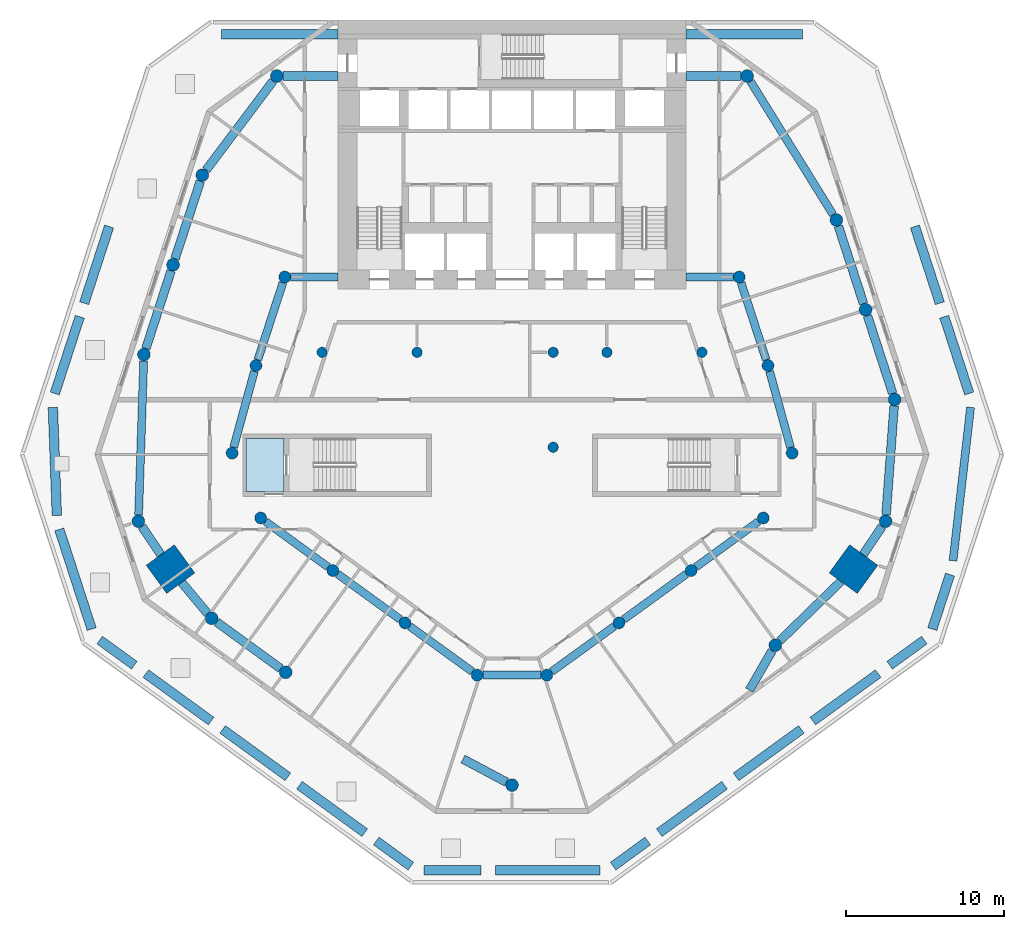
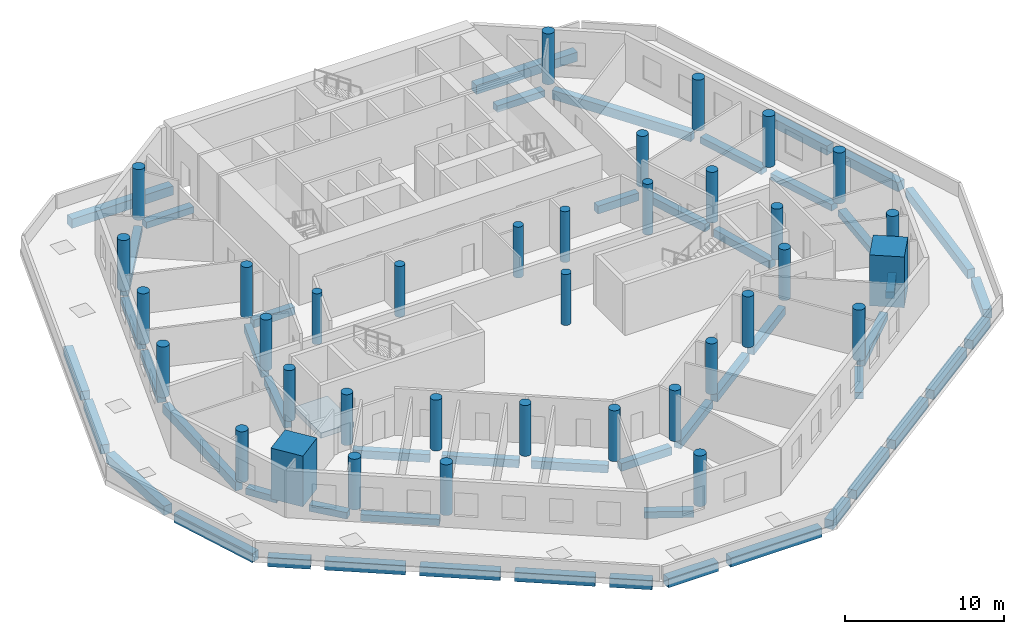
# One storey, part 1 of 10: 52 beams, 36 columns, 1 slab.
"""IFC4 building model written with IfcOpenShell, lengths in metres."""

import ifcopenshell
import ifcopenshell.guid

model = None  # the IFC model being written
_history = None  # IfcOwnerHistory: only IFC2X3 demands one
_inside = {}  # id of a spatial element -> (the spatial element, [elements in it])
_under = {}  # id of a project, library or spatial element -> (it, [spatial elements below it])
_declared = {}  # id of a project -> (the project, [libraries it declares])
_typed = {}  # id of a type object -> (the type object, [elements of that type])
_made_of = {}  # id of a material, layer set ... -> (it, [elements and type objects made of it])


def new_model(schema):
    """Start an empty IFC model of exactly this schema.

    Asked for "IFC4X3", IfcOpenShell would pick the latest addendum, in which some entities
    have other attributes; the version numbers below select the first issue.
    IFC2X3 requires an IfcOwnerHistory on every rooted entity: one is made here for all.
    """
    global model, _history
    if schema == "IFC4X3":
        model = ifcopenshell.file(schema_version=(4, 3, 0, 0))
    else:
        model = ifcopenshell.file(schema=schema)
    _inside.clear()
    _under.clear()
    _declared.clear()
    _typed.clear()
    _made_of.clear()
    _history = None
    if model.schema == "IFC2X3":
        org = make("IfcOrganization", Name="unknown")
        user = make(
            "IfcPersonAndOrganization",
            ThePerson=make("IfcPerson", FamilyName="unknown"),
            TheOrganization=org,
        )
        app = make(
            "IfcApplication",
            ApplicationDeveloper=org,
            Version="unknown",
            ApplicationFullName="unknown",
            ApplicationIdentifier="unknown",
        )
        _history = make(
            "IfcOwnerHistory",
            OwningUser=user,
            OwningApplication=app,
            ChangeAction="ADDED",
            CreationDate=0,
        )
    return model


def make(cls, **values):
    """One entity of the class cls with the attributes given. An attribute that is None is left unset."""
    return model.create_entity(
        cls, **{name: value for name, value in values.items() if value is not None}
    )


def rooted(cls, **values):
    """An entity with a GlobalId (a new one), such as an element, a storey or a relation."""
    return make(cls, GlobalId=ifcopenshell.guid.new(), OwnerHistory=_history, **values)


def si_unit(unit_type, name, prefix=None):
    """IfcSIUnit, for example si_unit("LENGTHUNIT", "METRE", prefix="MILLI")."""
    return make("IfcSIUnit", UnitType=unit_type, Prefix=prefix, Name=name)


def assignment(units):
    """IfcUnitAssignment: the units of a project."""
    return None if units is None else make("IfcUnitAssignment", Units=units)


def point(xyz):
    """IfcCartesianPoint."""
    return None if xyz is None else make("IfcCartesianPoint", Coordinates=xyz)


def direction(xyz):
    """IfcDirection."""
    return None if xyz is None else make("IfcDirection", DirectionRatios=xyz)


def frame(location, z_axis=None, x_axis=None):
    """IfcAxis2Placement3D, a coordinate frame: its origin and axes. An axis left out is left unset."""
    return make(
        "IfcAxis2Placement3D",
        Location=point(location),
        Axis=direction(z_axis),
        RefDirection=direction(x_axis),
    )


def frame_2d(location, x_axis=None):
    """IfcAxis2Placement2D, a coordinate frame in the plane: its origin and x axis."""
    return make(
        "IfcAxis2Placement2D", Location=point(location), RefDirection=direction(x_axis)
    )


def origin():
    """The frame at (0, 0, 0) with its axes left unset."""
    return frame((0.0, 0.0, 0.0))


def origin_2d():
    """The frame at (0, 0) in the plane with its x axis left unset."""
    return frame_2d((0.0, 0.0))


def place(relative_to, where):
    """IfcLocalPlacement: puts the frame where relative to a parent placement (None: the world)."""
    return make(
        "IfcLocalPlacement", PlacementRelTo=relative_to, RelativePlacement=where
    )


def context(
    kind, dimensions, precision=None, world=None, true_north=None, identifier=None
):
    """IfcGeometricRepresentationContext, for example the 3D "Model" context."""
    return make(
        "IfcGeometricRepresentationContext",
        ContextIdentifier=identifier,
        ContextType=kind,
        CoordinateSpaceDimension=dimensions,
        Precision=precision,
        WorldCoordinateSystem=world,
        TrueNorth=true_north,
    )


def subcontext(parent, identifier, kind, view, scale=None):
    """IfcGeometricRepresentationSubContext, for example "Body" below "Model"."""
    return make(
        "IfcGeometricRepresentationSubContext",
        ContextIdentifier=identifier,
        ContextType=kind,
        ParentContext=parent,
        TargetScale=scale,
        TargetView=view,
    )


def project(units=None, contexts=None):
    """IfcProject with its units and contexts."""
    return rooted(
        "IfcProject",
        Name="project",
        RepresentationContexts=contexts,
        UnitsInContext=assignment(units),
    )


def spatial(cls, under=None, at=None, **own):
    """A site, building, storey or space (cls), placed at a placement, below another one or the project."""
    s = rooted(cls, ObjectPlacement=at, **own)
    if under is not None:
        _under.setdefault(under.id(), (under, []))[1].append(s)
    return s


def polyline(points):
    """IfcPolyline through the points."""
    return make("IfcPolyline", Points=[point(p) for p in points])


def profile(cls, at=None, kind="AREA", **sizes):
    """A parametric profile (cls). Its sizes go by their IFC names, for example OverallWidth=200.0."""
    return make(cls, ProfileType=kind, Position=at, **sizes)


def rectangle(**sizes):
    """IfcRectangleProfileDef."""
    return profile("IfcRectangleProfileDef", **sizes)


def circle(**sizes):
    """IfcCircleProfileDef."""
    return profile("IfcCircleProfileDef", **sizes)


def outline(outer, holes=None, kind="AREA"):
    """IfcArbitraryClosedProfileDef: a profile drawn as a closed curve; with holes, ...WithVoids."""
    if holes is None:
        return make("IfcArbitraryClosedProfileDef", ProfileType=kind, OuterCurve=outer)
    return make(
        "IfcArbitraryProfileDefWithVoids",
        ProfileType=kind,
        OuterCurve=outer,
        InnerCurves=holes,
    )


def extrude(swept, where, along, depth):
    """IfcExtrudedAreaSolid: the profile swept, set in the frame where, extruded along a direction by depth."""
    return make(
        "IfcExtrudedAreaSolid",
        SweptArea=swept,
        Position=where,
        ExtrudedDirection=direction(along),
        Depth=depth,
    )


def shape(context_of_items, identifier, shape_type, items):
    """IfcShapeRepresentation: the items that make up one representation, for example the "Body"."""
    return make(
        "IfcShapeRepresentation",
        ContextOfItems=context_of_items,
        RepresentationIdentifier=identifier,
        RepresentationType=shape_type,
        Items=items,
    )


def material(Name=None, Category=None):
    """IfcMaterial."""
    return make("IfcMaterial", Name=Name, Category=Category)


def layer(
    of_material, thickness, ventilated=None, Name=None, Category=None, Priority=None
):
    """IfcMaterialLayer: one layer of a wall or slab, of a material (None: an air gap)."""
    return make(
        "IfcMaterialLayer",
        Material=of_material,
        LayerThickness=thickness,
        IsVentilated=ventilated,
        Name=Name,
        Category=Category,
        Priority=Priority,
    )


def layer_set(layers, Name=None):
    """IfcMaterialLayerSet."""
    return make("IfcMaterialLayerSet", MaterialLayers=layers, LayerSetName=Name)


def material_profile(
    of_material, cross_section, Name=None, Category=None, Priority=None
):
    """IfcMaterialProfile: a cross section and its material."""
    return make(
        "IfcMaterialProfile",
        Name=Name,
        Material=of_material,
        Profile=cross_section,
        Priority=Priority,
        Category=Category,
    )


def profile_set(profiles, Name=None, composite=None):
    """IfcMaterialProfileSet."""
    return make(
        "IfcMaterialProfileSet",
        Name=Name,
        MaterialProfiles=profiles,
        CompositeProfile=composite,
    )


def made_of(thing, what):
    """Note that an element or type object is made of a material, layer set ...; save() writes the relation."""
    if what is not None:
        _made_of.setdefault(what.id(), (what, []))[1].append(thing)
    return thing


def type_object(cls, material=None, **own):
    """A type object (cls), such as IfcWallType, which elements share."""
    return made_of(rooted(cls, **own), material)


def element(
    cls,
    number,
    at=None,
    inside=None,
    cuts=None,
    type_object=None,
    material=None,
    context=None,
    identifier="Body",
    shape_type=None,
    held_by="IfcProductDefinitionShape",
    body=None,
    shapes=None,
    **own,
):
    """One element of the class cls, such as IfcWall. Its Tag is "e" and its number.

    at: its placement. inside: the storey or other place that contains it. cuts: it is an
    opening in that element (IfcRelVoidsElement). A single representation is given by context,
    identifier, shape_type and body (its items); several are given by shapes. held_by: the class
    of the entity that holds the representations. save() writes the other relations.
    """
    e = rooted(cls, Tag="e%d" % number, ObjectPlacement=at, **own)
    if body is not None:
        shapes = [shape(context, identifier, shape_type, body)]
    if shapes is not None:
        e.Representation = make(held_by, Representations=shapes)
    if inside is not None:
        _inside.setdefault(inside.id(), (inside, []))[1].append(e)
    if cuts is not None:
        rooted(
            "IfcRelVoidsElement", RelatingBuildingElement=cuts, RelatedOpeningElement=e
        )
    if type_object is not None:
        _typed.setdefault(type_object.id(), (type_object, []))[1].append(e)
    return made_of(e, material)


def aggregate(whole, parts):
    """IfcRelAggregates: a whole, such as a stair, and the parts it consists of."""
    return rooted("IfcRelAggregates", RelatingObject=whole, RelatedObjects=parts)


def save(model, path):
    """Write the relations noted so far, then the file.

    IfcRelAggregates (storeys below a building ...), IfcRelContainedInSpatialStructure (elements
    in a storey), IfcRelDefinesByType, IfcRelAssociatesMaterial and IfcRelDeclares: one each for
    every whole, place, type object, material and project.
    """
    for whole, parts in _under.values():
        aggregate(whole, parts)
    for where, things in _inside.values():
        rooted(
            "IfcRelContainedInSpatialStructure",
            RelatedElements=things,
            RelatingStructure=where,
        )
    for kind, things in _typed.values():
        rooted("IfcRelDefinesByType", RelatedObjects=things, RelatingType=kind)
    for what, things in _made_of.values():
        rooted("IfcRelAssociatesMaterial", RelatedObjects=things, RelatingMaterial=what)
    for by, libraries in _declared.values():
        rooted("IfcRelDeclares", RelatingContext=by, RelatedDefinitions=libraries)
    model.write(path)


model = new_model("IFC4")

# Units and contexts
model_context = context("Model", 3, precision=1e-05, world=origin(), true_north=direction((0.0, 1.0)))
body_context = subcontext(model_context, "Body", "Model", "MODEL_VIEW")
ifc_project = project(units=[si_unit("LENGTHUNIT", "METRE"), si_unit("AREAUNIT", "SQUARE_METRE"), si_unit("VOLUMEUNIT", "CUBIC_METRE"), si_unit("PLANEANGLEUNIT", "RADIAN"), si_unit("MASSUNIT", "GRAM", prefix="KILO")], contexts=[model_context])

# Site, building, storey
site_placement = place(None, origin())
site = spatial("IfcSite", under=ifc_project, at=site_placement, CompositionType="ELEMENT")
building_placement = place(site_placement, origin())
building = spatial("IfcBuilding", under=site, at=building_placement, Name="White Candle Pilgrim Tower", CompositionType="ELEMENT")
storey_placement = place(building_placement, frame((0.0, 0.0, 39.0)))
storey = spatial("IfcBuildingStorey", under=building, at=storey_placement, Name="L06", CompositionType="ELEMENT", Elevation=39.0)

# Columns
ifc_material_1 = material(Name="Concrete C80/95", Category="concrete")
ifc_material_profile_1 = material_profile(ifc_material_1, circle(Radius=0.324951171875, at=origin_2d()), Name="RC-COL D650")
ifc_profile_set_1 = profile_set([ifc_material_profile_1], Name="Concrete C80/95")
column_type_1 = type_object("IfcColumnType", Name="Interior column RC-COL D650 C80/95", PredefinedType="COLUMN", material=ifc_profile_set_1)
for number, where, z_axis, x_axis, name in (
    (1, (58.0, 67.0, 0.0), (0.0, 0.0, 1.0), (1.0, 0.0, 0.0), "L06 column I01"),
    (2, (64.0, 67.0, 0.0), (0.0, 0.0, 1.0), (1.0, 0.0, 0.0), "L06 column I02"),
    (3, (72.60009765625, 61.0, 0.0), (0.0, 0.0, 1.0), (1.0, 0.0, 0.0), "L06 column I03"),
    (4, (72.60009765625, 67.0, 0.0), (0.0, 0.0, 1.0), (1.0, 0.0, 0.0), "L06 column I04"),
    (5, (76.0, 67.0, 0.0), (0.0, 0.0, 1.0), (1.0, 0.0, 0.0), "L06 column I05"),
    (6, (82.0, 67.0, 0.0), (0.0, 0.0, 1.0), (1.0, 0.0, 0.0), "L06 column I06"),
):
    element("IfcColumn", number, at=place(storey_placement, frame(where, z_axis=z_axis, x_axis=x_axis)), inside=storey, type_object=column_type_1, Name=name, PredefinedType="COLUMN", context=body_context, shape_type="SweptSolid", body=[
        extrude(circle(Radius=0.324951171875, at=origin_2d()), origin(), (0.0, 0.0, 1.0), 3.89990234375),
    ])
ifc_material_profile_2 = material_profile(ifc_material_1, rectangle(XDim=2.199951171875, YDim=2.199951171875, at=origin_2d()), Name="RC 2200x2200")
ifc_profile_set_2 = profile_set([ifc_material_profile_2], Name="Concrete C80/95")
column_type_2 = type_object("IfcColumnType", Name="Mega column RC 2200x2200 C80/95", PredefinedType="COLUMN", material=ifc_profile_set_2)
for number, where, z_axis, x_axis, name in (
    (7, (48.419921875, 53.300048828125, 0.0), (0.0, 0.0, 1.0), (-0.809016994375, -0.587785252292, 0.0), "L06 mega column T02"),
    (8, (91.580078125, 53.300048828125, 0.0), (0.0, 0.0, 1.0), (0.809016994375, -0.587785252292, 0.0), "L06 mega column T07"),
):
    element("IfcColumn", number, at=place(storey_placement, frame(where, z_axis=z_axis, x_axis=x_axis)), inside=storey, type_object=column_type_2, Name=name, PredefinedType="COLUMN", context=body_context, shape_type="SweptSolid", body=[
        extrude(rectangle(XDim=2.199951171875, YDim=2.199951171875, at=origin_2d()), origin(), (0.0, 0.0, 1.0), 3.89990234375),
    ])
ifc_material_profile_3 = material_profile(ifc_material_1, circle(Radius=0.39990234375, at=origin_2d()), Name="RC-COL D800")
ifc_profile_set_3 = profile_set([ifc_material_profile_3], Name="Concrete C80/95")
column_type_3 = type_object("IfcColumnType", Name="Perimeter column RC-COL D800 C80/95", PredefinedType="COLUMN", material=ifc_profile_set_3)
for number, where, z_axis, x_axis, name in (
    (9, (46.389892578125, 56.330078125, 0.0), (0.0, 0.0, 1.0), (1.0, 0.0, 0.0), "L06 column T01"),
    (10, (51.02001953125, 50.18994140625, 0.0), (0.0, 0.0, 1.0), (1.0, 0.0, 0.0), "L06 column T03"),
    (11, (55.699951171875, 46.780029296875, 0.0), (0.0, 0.0, 1.0), (1.0, 0.0, 0.0), "L06 column T04"),
    (12, (70.0, 39.64990234375, 0.0), (0.0, 0.0, 1.0), (1.0, 0.0, 0.0), "L06 column T05"),
    (13, (86.639892578125, 48.489990234375, 0.0), (0.0, 0.0, 1.0), (1.0, 0.0, 0.0), "L06 column T06"),
    (14, (93.610107421875, 56.330078125, 0.0), (0.0, 0.0, 1.0), (1.0, 0.0, 0.0), "L06 column T08"),
    (15, (94.179931640625, 64.02001953125, 0.0), (0.0, 0.0, 1.0), (1.0, 0.0, 0.0), "L06 column T09"),
    (16, (92.340087890625, 69.68994140625, 0.0), (0.0, 0.0, 1.0), (1.0, 0.0, 0.0), "L06 column T10"),
    (17, (90.5, 75.360107421875, 0.0), (0.0, 0.0, 1.0), (1.0, 0.0, 0.0), "L06 column T11"),
    (18, (84.860107421875, 84.4599609375, 0.0), (0.0, 0.0, 1.0), (1.0, 0.0, 0.0), "L06 column T12"),
    (19, (55.139892578125, 84.4599609375, 0.0), (0.0, 0.0, 1.0), (1.0, 0.0, 0.0), "L06 column T13"),
    (20, (50.429931640625, 78.199951171875, 0.0), (0.0, 0.0, 1.0), (1.0, 0.0, 0.0), "L06 column T14"),
    (21, (48.580078125, 72.530029296875, 0.0), (0.0, 0.0, 1.0), (1.0, 0.0, 0.0), "L06 column T15"),
    (22, (46.739990234375, 66.860107421875, 0.0), (0.0, 0.0, 1.0), (1.0, 0.0, 0.0), "L06 column T16"),
):
    element("IfcColumn", number, at=place(storey_placement, frame(where, z_axis=z_axis, x_axis=x_axis)), inside=storey, type_object=column_type_3, Name=name, PredefinedType="COLUMN", context=body_context, shape_type="SweptSolid", body=[
        extrude(circle(Radius=0.39990234375, at=origin_2d()), origin(), (0.0, 0.0, 1.0), 3.89990234375),
    ])
ifc_material_profile_4 = material_profile(ifc_material_1, circle(Radius=0.375, at=origin_2d()), Name="RC-COL D750")
ifc_profile_set_4 = profile_set([ifc_material_profile_4], Name="Concrete C80/95")
column_type_4 = type_object("IfcColumnType", Name="Ring column RC-COL D750 C80/95", PredefinedType="COLUMN", material=ifc_profile_set_4)
for number, where, z_axis, x_axis, name in (
    (23, (52.31005859375, 60.6298828125, 0.0), (0.0, 0.0, 1.0), (1.0, 0.0, 0.0), "L06 column R01"),
    (24, (54.1201171875, 56.530029296875, 0.0), (0.0, 0.0, 1.0), (1.0, 0.0, 0.0), "L06 column R02"),
    (25, (58.679931640625, 53.2099609375, 0.0), (0.0, 0.0, 1.0), (1.0, 0.0, 0.0), "L06 column R03"),
    (26, (63.239990234375, 49.89990234375, 0.0), (0.0, 0.0, 1.0), (1.0, 0.0, 0.0), "L06 column R04"),
    (27, (67.800048828125, 46.60009765625, 0.0), (0.0, 0.0, 1.0), (1.0, 0.0, 0.0), "L06 column R05"),
    (28, (72.199951171875, 46.60009765625, 0.0), (0.0, 0.0, 1.0), (1.0, 0.0, 0.0), "L06 column R06"),
    (29, (76.760009765625, 49.89990234375, 0.0), (0.0, 0.0, 1.0), (1.0, 0.0, 0.0), "L06 column R07"),
    (30, (81.320068359375, 53.2099609375, 0.0), (0.0, 0.0, 1.0), (1.0, 0.0, 0.0), "L06 column R08"),
    (31, (85.8798828125, 56.530029296875, 0.0), (0.0, 0.0, 1.0), (1.0, 0.0, 0.0), "L06 column R09"),
    (32, (87.699951171875, 60.6298828125, 0.0), (0.0, 0.0, 1.0), (1.0, 0.0, 0.0), "L06 column R10"),
    (33, (86.179931640625, 66.159912109375, 0.0), (0.0, 0.0, 1.0), (1.0, 0.0, 0.0), "L06 column R11"),
    (34, (84.360107421875, 71.760009765625, 0.0), (0.0, 0.0, 1.0), (1.0, 0.0, 0.0), "L06 column R12"),
    (35, (55.639892578125, 71.760009765625, 0.0), (0.0, 0.0, 1.0), (1.0, 0.0, 0.0), "L06 column R13"),
    (36, (53.820068359375, 66.159912109375, 0.0), (0.0, 0.0, 1.0), (1.0, 0.0, 0.0), "L06 column R14"),
):
    element("IfcColumn", number, at=place(storey_placement, frame(where, z_axis=z_axis, x_axis=x_axis)), inside=storey, type_object=column_type_4, Name=name, PredefinedType="COLUMN", context=body_context, shape_type="SweptSolid", body=[
        extrude(circle(Radius=0.375, at=origin_2d()), origin(), (0.0, 0.0, 1.0), 3.89990234375),
    ])

# Beams
ifc_material_2 = material(Name="Concrete C50/60", Category="concrete")
ifc_material_profile_5 = material_profile(ifc_material_2, rectangle(XDim=0.5, YDim=0.60009765625, at=origin_2d()), Name="RC-BM 500x600")
ifc_profile_set_5 = profile_set([ifc_material_profile_5], Name="Concrete C50/60")
beam_type_1 = type_object("IfcBeamType", Name="Ring beam RC-BM 500x600 C50/60", PredefinedType="BEAM", material=ifc_profile_set_5)
beam_1_placement = place(storey_placement, frame((54.423095703125, 56.309326171875, -0.699951171875), z_axis=(0.808431607518, -0.58859012561, 0.0), x_axis=(0.58859012561, 0.808431607518, 0.0)))
element("IfcBeam", 37, at=beam_1_placement, inside=storey, type_object=beam_type_1, Name="L06 ring beam R01", PredefinedType="BEAM", context=body_context, shape_type="SweptSolid", body=[
    extrude(rectangle(XDim=0.5, YDim=0.60009765625, at=origin_2d()), origin(), (0.0, 0.0, 1.0), 4.890869140625),
])
beam_2_placement = place(storey_placement, frame((58.9833984375, 52.98974609375, -0.699951171875), z_axis=(0.809276033964, -0.587428549572, 0.0), x_axis=(0.587428549572, 0.809276033964, 0.0)))
element("IfcBeam", 38, at=beam_2_placement, inside=storey, type_object=beam_type_1, Name="L06 ring beam R02", PredefinedType="BEAM", context=body_context, shape_type="SweptSolid", body=[
    extrude(rectangle(XDim=0.5, YDim=0.60009765625, at=origin_2d()), origin(), (0.0, 0.0, 1.0), 4.885009765625),
])
beam_3_placement = place(storey_placement, frame((63.543701171875, 49.680419921875, -0.699951171875), z_axis=(0.810079795278, -0.586319644291, 0.0), x_axis=(0.586319644291, 0.810079795278, 0.0)))
element("IfcBeam", 39, at=beam_3_placement, inside=storey, type_object=beam_type_1, Name="L06 ring beam R03", PredefinedType="BEAM", context=body_context, shape_type="SweptSolid", body=[
    extrude(rectangle(XDim=0.5, YDim=0.60009765625, at=origin_2d()), origin(), (0.0, 0.0, 1.0), 4.87939453125),
])
beam_4_placement = place(storey_placement, frame((68.175048828125, 46.60009765625, -0.699951171875), z_axis=(1.0, 0.0, 0.0), x_axis=(0.0, 1.0, 0.0)))
element("IfcBeam", 40, at=beam_4_placement, inside=storey, type_object=beam_type_1, Name="L06 ring beam R04", PredefinedType="BEAM", context=body_context, shape_type="SweptSolid", body=[
    extrude(rectangle(XDim=0.5, YDim=0.60009765625, at=origin_2d()), origin(), (0.0, 0.0, 1.0), 3.64990234375),
])
beam_5_placement = place(storey_placement, frame((72.503662109375, 46.819580078125, -0.699951171875), z_axis=(0.810079795278, 0.586319644291, 0.0), x_axis=(-0.586319644291, 0.810079795278, 0.0)))
element("IfcBeam", 41, at=beam_5_placement, inside=storey, type_object=beam_type_1, Name="L06 ring beam R05", PredefinedType="BEAM", context=body_context, shape_type="SweptSolid", body=[
    extrude(rectangle(XDim=0.5, YDim=0.60009765625, at=origin_2d()), origin(), (0.0, 0.0, 1.0), 4.87939453125),
])
beam_6_placement = place(storey_placement, frame((77.063232421875, 50.1201171875, -0.699951171875), z_axis=(0.809276033964, 0.587428549572, 0.0), x_axis=(-0.587428549572, 0.809276033964, 0.0)))
element("IfcBeam", 42, at=beam_6_placement, inside=storey, type_object=beam_type_1, Name="L06 ring beam R06", PredefinedType="BEAM", context=body_context, shape_type="SweptSolid", body=[
    extrude(rectangle(XDim=0.5, YDim=0.60009765625, at=origin_2d()), origin(), (0.0, 0.0, 1.0), 4.885009765625),
])
beam_7_placement = place(storey_placement, frame((81.623046875, 53.4306640625, -0.699951171875), z_axis=(0.808431607518, 0.58859012561, 0.0), x_axis=(-0.58859012561, 0.808431607518, 0.0)))
element("IfcBeam", 43, at=beam_7_placement, inside=storey, type_object=beam_type_1, Name="L06 ring beam R07", PredefinedType="BEAM", context=body_context, shape_type="SweptSolid", body=[
    extrude(rectangle(XDim=0.5, YDim=0.60009765625, at=origin_2d()), origin(), (0.0, 0.0, 1.0), 4.890869140625),
])
beam_8_placement = place(storey_placement, frame((87.6005859375, 60.991455078125, -0.699951171875), z_axis=(-0.265031278819, 0.964239815216, 0.0), x_axis=(-0.964239815216, -0.265031278819, 0.0)))
element("IfcBeam", 44, at=beam_8_placement, inside=storey, type_object=beam_type_1, Name="L06 ring beam R08", PredefinedType="BEAM", context=body_context, shape_type="SweptSolid", body=[
    extrude(rectangle(XDim=0.5, YDim=0.60009765625, at=origin_2d()), origin(), (0.0, 0.0, 1.0), 4.9853515625),
])
beam_9_placement = place(storey_placement, frame((86.064208984375, 66.5166015625, -0.699951171875), z_axis=(-0.309106483996, 0.9510274347, 0.0), x_axis=(-0.9510274347, -0.309106483996, 0.0)))
element("IfcBeam", 45, at=beam_9_placement, inside=storey, type_object=beam_type_1, Name="L06 ring beam R09", PredefinedType="BEAM", context=body_context, shape_type="SweptSolid", body=[
    extrude(rectangle(XDim=0.5, YDim=0.60009765625, at=origin_2d()), origin(), (0.0, 0.0, 1.0), 5.138671875),
])
for number, where, z_axis, x_axis, name in (
    (46, (83.985107421875, 71.760009765625, -0.699951171875), (-1.0, 0.0, 0.0), (0.0, -1.0, 0.0), "L06 ring beam R10"),
    (47, (56.014892578125, 71.760009765625, -0.699951171875), (1.0, 0.0, 0.0), (0.0, 1.0, 0.0), "L06 ring beam R11"),
):
    element("IfcBeam", number, at=place(storey_placement, frame(where, z_axis=z_axis, x_axis=x_axis)), inside=storey, type_object=beam_type_1, Name=name, PredefinedType="BEAM", context=body_context, shape_type="SweptSolid", body=[
        extrude(rectangle(XDim=0.5, YDim=0.60009765625, at=origin_2d()), origin(), (0.0, 0.0, 1.0), 2.985107421875),
    ])
beam_10_placement = place(storey_placement, frame((55.524169921875, 71.403564453125, -0.699951171875), z_axis=(-0.309106483996, -0.9510274347, 0.0), x_axis=(0.9510274347, -0.309106483996, 0.0)))
element("IfcBeam", 48, at=beam_10_placement, inside=storey, type_object=beam_type_1, Name="L06 ring beam R12", PredefinedType="BEAM", context=body_context, shape_type="SweptSolid", body=[
    extrude(rectangle(XDim=0.5, YDim=0.60009765625, at=origin_2d()), origin(), (0.0, 0.0, 1.0), 5.138671875),
])
beam_11_placement = place(storey_placement, frame((53.72119140625, 65.79833984375, -0.699951171875), z_axis=(-0.263415907103, -0.964682362172, 0.0), x_axis=(0.964682362172, -0.263415907103, 0.0)))
element("IfcBeam", 49, at=beam_11_placement, inside=storey, type_object=beam_type_1, Name="L06 ring beam R13", PredefinedType="BEAM", context=body_context, shape_type="SweptSolid", body=[
    extrude(rectangle(XDim=0.5, YDim=0.60009765625, at=origin_2d()), origin(), (0.0, 0.0, 1.0), 4.982666015625),
])
ifc_material_profile_6 = material_profile(ifc_material_2, rectangle(XDim=0.5, YDim=0.699951171875, at=origin_2d()), Name="RC-BM 500x700")
ifc_profile_set_6 = profile_set([ifc_material_profile_6], Name="Concrete C50/60")
beam_type_2 = type_object("IfcBeamType", Name="Spandrel beam RC-BM 500x700 C50/60", PredefinedType="BEAM", material=ifc_profile_set_6)
beam_12_placement = place(storey_placement, frame((90.289306640625, 75.69970703125, -0.75), z_axis=(-0.526800809553, 0.849988768781, 0.0), x_axis=(-0.849988768781, -0.526800809553, 0.0)))
element("IfcBeam", 50, at=beam_12_placement, inside=storey, type_object=beam_type_2, Name="L06 spandrel beam T11", PredefinedType="BEAM", context=body_context, shape_type="SweptSolid", body=[
    extrude(rectangle(XDim=0.5, YDim=0.699951171875, at=origin_2d()), origin(), (0.0, 0.0, 1.0), 9.906494140625),
])
beam_13_placement = place(storey_placement, frame((46.726806640625, 66.46044921875, -0.75), z_axis=(-0.033224659514, -0.999447908598, 0.0), x_axis=(0.999447908598, -0.033224659514, 0.0)))
element("IfcBeam", 51, at=beam_13_placement, inside=storey, type_object=beam_type_2, Name="L06 spandrel beam T17", PredefinedType="BEAM", context=body_context, shape_type="SweptSolid", body=[
    extrude(rectangle(XDim=0.5, YDim=0.699951171875, at=origin_2d()), origin(), (0.0, 0.0, 1.0), 9.736328125),
])
beam_14_placement = place(storey_placement, frame((97.87109375, 53.830810546875, -0.75), z_axis=(0.113579061518, 0.993528961221, 0.0), x_axis=(-0.993528961221, 0.113579061518, 0.0)))
element("IfcBeam", 52, at=beam_14_placement, inside=storey, type_object=beam_type_2, Name="L06 spandrel beam C15", PredefinedType="BEAM", context=body_context, shape_type="SweptSolid", body=[
    extrude(rectangle(XDim=0.5, YDim=0.699951171875, at=origin_2d()), origin(), (0.0, 0.0, 1.0), 9.754638671875),
])
ifc_material_profile_7 = material_profile(ifc_material_2, rectangle(XDim=0.550048828125, YDim=0.5, at=origin_2d()), Name="RC-BM 550x500")
ifc_profile_set_7 = profile_set([ifc_material_profile_7], Name="Concrete C50/60")
beam_type_3 = type_object("IfcBeamType", Name="Spandrel beam RC-BM 550x500 C50/60", PredefinedType="BEAM", material=ifc_profile_set_7)
beam_15_placement = place(storey_placement, frame((46.612548828125, 55.997802734375, -0.64990234375), z_axis=(0.556641005169, -0.830753147069, 0.0), x_axis=(0.830753147069, 0.556641005169, 0.0)))
element("IfcBeam", 53, at=beam_15_placement, inside=storey, type_object=beam_type_3, Name="L06 spandrel beam T01", PredefinedType="BEAM", context=body_context, shape_type="SweptSolid", body=[
    extrude(rectangle(XDim=0.550048828125, YDim=0.5, at=origin_2d()), origin(), (0.0, 0.0, 1.0), 2.146484375),
])
beam_16_placement = place(storey_placement, frame((49.127197265625, 52.4541015625, -0.64990234375), z_axis=(0.641388324436, -0.767216408373, 0.0), x_axis=(0.767216408373, 0.641388324436, 0.0)))
element("IfcBeam", 54, at=beam_16_placement, inside=storey, type_object=beam_type_3, Name="L06 spandrel beam T02", PredefinedType="BEAM", context=body_context, shape_type="SweptSolid", body=[
    extrude(rectangle(XDim=0.550048828125, YDim=0.5, at=origin_2d()), origin(), (0.0, 0.0, 1.0), 2.551513671875),
])
beam_17_placement = place(storey_placement, frame((51.343017578125, 49.95458984375, -0.64990234375), z_axis=(0.808217539001, -0.588884037525, 0.0), x_axis=(0.588884037525, 0.808217539001, 0.0)))
element("IfcBeam", 55, at=beam_17_placement, inside=storey, type_object=beam_type_3, Name="L06 spandrel beam T03", PredefinedType="BEAM", context=body_context, shape_type="SweptSolid", body=[
    extrude(rectangle(XDim=0.550048828125, YDim=0.5, at=origin_2d()), origin(), (0.0, 0.0, 1.0), 4.9912109375),
])
beam_18_placement = place(storey_placement, frame((69.647216796875, 39.837890625, -0.64990234375), z_axis=(-0.882763026781, 0.469818516608, 0.0), x_axis=(-0.469818516608, -0.882763026781, 0.0)))
element("IfcBeam", 56, at=beam_18_placement, inside=storey, type_object=beam_type_3, Name="L06 spandrel beam T04", PredefinedType="BEAM", context=body_context, shape_type="SweptSolid", body=[
    extrude(rectangle(XDim=0.550048828125, YDim=0.5, at=origin_2d()), origin(), (0.0, 0.0, 1.0), 3.112060546875),
])
beam_19_placement = place(storey_placement, frame((86.43994140625, 48.1435546875, -0.64990234375), z_axis=(-0.50006004864, -0.86599073191, 0.0), x_axis=(0.86599073191, -0.50006004864, 0.0)))
element("IfcBeam", 57, at=beam_19_placement, inside=storey, type_object=beam_type_3, Name="L06 spandrel beam T05", PredefinedType="BEAM", context=body_context, shape_type="SweptSolid", body=[
    extrude(rectangle(XDim=0.550048828125, YDim=0.5, at=origin_2d()), origin(), (0.0, 0.0, 1.0), 2.879638671875),
])
beam_20_placement = place(storey_placement, frame((86.926513671875, 48.768798828125, -0.64990234375), z_axis=(0.716462232914, 0.697625880259, 0.0), x_axis=(-0.697625880259, 0.716462232914, 0.0)))
element("IfcBeam", 58, at=beam_20_placement, inside=storey, type_object=beam_type_3, Name="L06 spandrel beam T06", PredefinedType="BEAM", context=body_context, shape_type="SweptSolid", body=[
    extrude(rectangle(XDim=0.550048828125, YDim=0.5, at=origin_2d()), origin(), (0.0, 0.0, 1.0), 5.37890625),
])
beam_21_placement = place(storey_placement, frame((92.192626953125, 54.214599609375, -0.64990234375), z_axis=(0.556641005169, 0.830753147069, 0.0), x_axis=(-0.830753147069, 0.556641005169, 0.0)))
element("IfcBeam", 59, at=beam_21_placement, inside=storey, type_object=beam_type_3, Name="L06 spandrel beam T07", PredefinedType="BEAM", context=body_context, shape_type="SweptSolid", body=[
    extrude(rectangle(XDim=0.550048828125, YDim=0.5, at=origin_2d()), origin(), (0.0, 0.0, 1.0), 2.146484375),
])
beam_22_placement = place(storey_placement, frame((93.6396484375, 56.728759765625, -0.64990234375), z_axis=(0.073900311906, 0.99726563357, 0.0), x_axis=(-0.99726563357, 0.073900311906, 0.0)))
element("IfcBeam", 60, at=beam_22_placement, inside=storey, type_object=beam_type_3, Name="L06 spandrel beam T08", PredefinedType="BEAM", context=body_context, shape_type="SweptSolid", body=[
    extrude(rectangle(XDim=0.550048828125, YDim=0.5, at=origin_2d()), origin(), (0.0, 0.0, 1.0), 6.9111328125),
])
for number, where, z_axis, x_axis, name in (
    (61, (94.056640625, 64.400390625, -0.64990234375), (-0.308682827488, 0.951165028801, 0.0), (-0.951165028801, -0.308682827488, 0.0), "L06 spandrel beam T09"),
    (62, (92.216552734375, 70.0703125, -0.64990234375), (-0.308682827488, 0.951165028801, 0.0), (-0.951165028801, -0.308682827488, 0.0), "L06 spandrel beam T10"),
):
    element("IfcBeam", number, at=place(storey_placement, frame(where, z_axis=z_axis, x_axis=x_axis)), inside=storey, type_object=beam_type_3, Name=name, PredefinedType="BEAM", context=body_context, shape_type="SweptSolid", body=[
        extrude(rectangle(XDim=0.550048828125, YDim=0.5, at=origin_2d()), origin(), (0.0, 0.0, 1.0), 5.161376953125),
    ])
for number, where, z_axis, x_axis, name in (
    (63, (84.4599609375, 84.4599609375, -0.64990234375), (-1.0, 0.0, 0.0), (0.0, -1.0, 0.0), "L06 spandrel beam T12"),
    (64, (55.5400390625, 84.4599609375, -0.64990234375), (1.0, 0.0, 0.0), (0.0, 1.0, 0.0), "L06 spandrel beam T13"),
):
    element("IfcBeam", number, at=place(storey_placement, frame(where, z_axis=z_axis, x_axis=x_axis)), inside=storey, type_object=beam_type_3, Name=name, PredefinedType="BEAM", context=body_context, shape_type="SweptSolid", body=[
        extrude(rectangle(XDim=0.550048828125, YDim=0.5, at=origin_2d()), origin(), (0.0, 0.0, 1.0), 3.4599609375),
    ])
beam_23_placement = place(storey_placement, frame((54.899658203125, 84.140380859375, -0.64990234375), z_axis=(-0.601237643972, -0.79907026942, 0.0), x_axis=(0.79907026942, -0.601237643972, 0.0)))
element("IfcBeam", 65, at=beam_23_placement, inside=storey, type_object=beam_type_3, Name="L06 spandrel beam T14", PredefinedType="BEAM", context=body_context, shape_type="SweptSolid", body=[
    extrude(rectangle(XDim=0.550048828125, YDim=0.5, at=origin_2d()), origin(), (0.0, 0.0, 1.0), 7.0341796875),
])
beam_24_placement = place(storey_placement, frame((50.305908203125, 77.81982421875, -0.64990234375), z_axis=(-0.310165508273, -0.950682574511, 0.0), x_axis=(0.950682574511, -0.310165508273, 0.0)))
element("IfcBeam", 66, at=beam_24_placement, inside=storey, type_object=beam_type_3, Name="L06 spandrel beam T15", PredefinedType="BEAM", context=body_context, shape_type="SweptSolid", body=[
    extrude(rectangle(XDim=0.550048828125, YDim=0.5, at=origin_2d()), origin(), (0.0, 0.0, 1.0), 5.164306640625),
])
beam_25_placement = place(storey_placement, frame((48.45654296875, 72.149658203125, -0.64990234375), z_axis=(-0.308682827488, -0.951165028801, 0.0), x_axis=(0.951165028801, -0.308682827488, 0.0)))
element("IfcBeam", 67, at=beam_25_placement, inside=storey, type_object=beam_type_3, Name="L06 spandrel beam T16", PredefinedType="BEAM", context=body_context, shape_type="SweptSolid", body=[
    extrude(rectangle(XDim=0.550048828125, YDim=0.5, at=origin_2d()), origin(), (0.0, 0.0, 1.0), 5.161376953125),
])
ifc_material_profile_8 = material_profile(ifc_material_2, rectangle(XDim=0.60009765625, YDim=0.699951171875, at=origin_2d()), Name="RC-BM 600x700")
ifc_profile_set_8 = profile_set([ifc_material_profile_8], Name="Concrete C50/60")
beam_type_4 = type_object("IfcBeamType", Name="Spandrel beam RC-BM 600x700 C50/60", PredefinedType="BEAM", material=ifc_profile_set_8)
beam_26_placement = place(storey_placement, frame((41.39208984375, 55.80908203125, -0.75), z_axis=(0.308987736587, -0.951066022229, 0.0), x_axis=(0.951066022229, 0.308987736587, 0.0)))
element("IfcBeam", 68, at=beam_26_placement, inside=storey, type_object=beam_type_4, Name="L06 spandrel beam C01", PredefinedType="BEAM", context=body_context, shape_type="SweptSolid", body=[
    extrude(rectangle(XDim=0.60009765625, YDim=0.699951171875, at=origin_2d()), origin(), (0.0, 0.0, 1.0), 6.62451171875),
])
beam_27_placement = place(storey_placement, frame((43.94189453125, 48.816650390625, -0.75), z_axis=(0.809008975915, -0.587796288598, 0.0), x_axis=(0.587796288598, 0.809008975915, 0.0)))
element("IfcBeam", 69, at=beam_27_placement, inside=storey, type_object=beam_type_4, Name="L06 spandrel beam C02", PredefinedType="BEAM", context=body_context, shape_type="SweptSolid", body=[
    extrude(rectangle(XDim=0.60009765625, YDim=0.699951171875, at=origin_2d()), origin(), (0.0, 0.0, 1.0), 2.707275390625),
])
beam_28_placement = place(storey_placement, frame((46.85986328125, 46.696533203125, -0.75), z_axis=(0.80900095282, -0.587807330965, 0.0), x_axis=(0.587807330965, 0.80900095282, 0.0)))
element("IfcBeam", 70, at=beam_28_placement, inside=storey, type_object=beam_type_4, Name="L06 spandrel beam C03", PredefinedType="BEAM", context=body_context, shape_type="SweptSolid", body=[
    extrude(rectangle(XDim=0.60009765625, YDim=0.699951171875, at=origin_2d()), origin(), (0.0, 0.0, 1.0), 5.100341796875),
])
beam_29_placement = place(storey_placement, frame((51.7138671875, 43.169677734375, -0.75), z_axis=(0.809069240735, -0.587713334625, 0.0), x_axis=(0.587713334625, 0.809069240735, 0.0)))
element("IfcBeam", 71, at=beam_29_placement, inside=storey, type_object=beam_type_4, Name="L06 spandrel beam C04", PredefinedType="BEAM", context=body_context, shape_type="SweptSolid", body=[
    extrude(rectangle(XDim=0.60009765625, YDim=0.699951171875, at=origin_2d()), origin(), (0.0, 0.0, 1.0), 5.099853515625),
])
beam_30_placement = place(storey_placement, frame((56.56787109375, 39.6435546875, -0.75), z_axis=(0.80900095282, -0.587807330965, 0.0), x_axis=(0.587807330965, 0.80900095282, 0.0)))
element("IfcBeam", 72, at=beam_30_placement, inside=storey, type_object=beam_type_4, Name="L06 spandrel beam C05", PredefinedType="BEAM", context=body_context, shape_type="SweptSolid", body=[
    extrude(rectangle(XDim=0.60009765625, YDim=0.699951171875, at=origin_2d()), origin(), (0.0, 0.0, 1.0), 5.100341796875),
])
beam_31_placement = place(storey_placement, frame((61.421875, 36.11669921875, -0.75), z_axis=(0.809008975915, -0.587796288598, 0.0), x_axis=(0.587796288598, 0.809008975915, 0.0)))
element("IfcBeam", 73, at=beam_31_placement, inside=storey, type_object=beam_type_4, Name="L06 spandrel beam C06", PredefinedType="BEAM", context=body_context, shape_type="SweptSolid", body=[
    extrude(rectangle(XDim=0.60009765625, YDim=0.699951171875, at=origin_2d()), origin(), (0.0, 0.0, 1.0), 2.707275390625),
])
beam_32_placement = place(storey_placement, frame((64.426025390625, 34.260986328125, -0.75), z_axis=(1.0, 0.0, 0.0), x_axis=(0.0, 1.0, 0.0)))
element("IfcBeam", 74, at=beam_32_placement, inside=storey, type_object=beam_type_4, Name="L06 spandrel beam C07", PredefinedType="BEAM", context=body_context, shape_type="SweptSolid", body=[
    extrude(rectangle(XDim=0.60009765625, YDim=0.699951171875, at=origin_2d()), origin(), (0.0, 0.0, 1.0), 3.6240234375),
])
beam_33_placement = place(storey_placement, frame((68.949951171875, 34.260986328125, -0.75), z_axis=(1.0, 0.0, 0.0), x_axis=(0.0, 1.0, 0.0)))
element("IfcBeam", 75, at=beam_33_placement, inside=storey, type_object=beam_type_4, Name="L06 spandrel beam C08", PredefinedType="BEAM", context=body_context, shape_type="SweptSolid", body=[
    extrude(rectangle(XDim=0.60009765625, YDim=0.699951171875, at=origin_2d()), origin(), (0.0, 0.0, 1.0), 6.6240234375),
])
beam_34_placement = place(storey_placement, frame((76.387939453125, 34.525390625, -0.75), z_axis=(0.809008975915, 0.587796288598, 0.0), x_axis=(-0.587796288598, 0.809008975915, 0.0)))
element("IfcBeam", 76, at=beam_34_placement, inside=storey, type_object=beam_type_4, Name="L06 spandrel beam C09", PredefinedType="BEAM", context=body_context, shape_type="SweptSolid", body=[
    extrude(rectangle(XDim=0.60009765625, YDim=0.699951171875, at=origin_2d()), origin(), (0.0, 0.0, 1.0), 2.707275390625),
])
beam_35_placement = place(storey_placement, frame((79.305908203125, 36.6455078125, -0.75), z_axis=(0.80900095282, 0.587807330965, 0.0), x_axis=(-0.587807330965, 0.80900095282, 0.0)))
element("IfcBeam", 77, at=beam_35_placement, inside=storey, type_object=beam_type_4, Name="L06 spandrel beam C10", PredefinedType="BEAM", context=body_context, shape_type="SweptSolid", body=[
    extrude(rectangle(XDim=0.60009765625, YDim=0.699951171875, at=origin_2d()), origin(), (0.0, 0.0, 1.0), 5.100341796875),
])
beam_36_placement = place(storey_placement, frame((84.159912109375, 40.17236328125, -0.75), z_axis=(0.809069240735, 0.587713334625, 0.0), x_axis=(-0.587713334625, 0.809069240735, 0.0)))
element("IfcBeam", 78, at=beam_36_placement, inside=storey, type_object=beam_type_4, Name="L06 spandrel beam C11", PredefinedType="BEAM", context=body_context, shape_type="SweptSolid", body=[
    extrude(rectangle(XDim=0.60009765625, YDim=0.699951171875, at=origin_2d()), origin(), (0.0, 0.0, 1.0), 5.099853515625),
])
beam_37_placement = place(storey_placement, frame((89.013916015625, 43.698486328125, -0.75), z_axis=(0.80900095282, 0.587807330965, 0.0), x_axis=(-0.587807330965, 0.80900095282, 0.0)))
element("IfcBeam", 79, at=beam_37_placement, inside=storey, type_object=beam_type_4, Name="L06 spandrel beam C12", PredefinedType="BEAM", context=body_context, shape_type="SweptSolid", body=[
    extrude(rectangle(XDim=0.60009765625, YDim=0.699951171875, at=origin_2d()), origin(), (0.0, 0.0, 1.0), 5.100341796875),
])
beam_38_placement = place(storey_placement, frame((93.867919921875, 47.225341796875, -0.75), z_axis=(0.809008975915, 0.587796288598, 0.0), x_axis=(-0.587796288598, 0.809008975915, 0.0)))
element("IfcBeam", 80, at=beam_38_placement, inside=storey, type_object=beam_type_4, Name="L06 spandrel beam C13", PredefinedType="BEAM", context=body_context, shape_type="SweptSolid", body=[
    extrude(rectangle(XDim=0.60009765625, YDim=0.699951171875, at=origin_2d()), origin(), (0.0, 0.0, 1.0), 2.707275390625),
])
beam_39_placement = place(storey_placement, frame((96.56103515625, 49.5087890625, -0.75), z_axis=(0.308944435163, 0.951080089152, 0.0), x_axis=(-0.951080089152, 0.308944435163, 0.0)))
element("IfcBeam", 81, at=beam_39_placement, inside=storey, type_object=beam_type_4, Name="L06 spandrel beam C14", PredefinedType="BEAM", context=body_context, shape_type="SweptSolid", body=[
    extrude(rectangle(XDim=0.60009765625, YDim=0.699951171875, at=origin_2d()), origin(), (0.0, 0.0, 1.0), 3.624755859375),
])
beam_40_placement = place(storey_placement, frame((98.89111328125, 64.396728515625, -0.75), z_axis=(-0.308982180599, 0.951067827272, 0.0), x_axis=(-0.951067827272, -0.308982180599, 0.0)))
element("IfcBeam", 82, at=beam_40_placement, inside=storey, type_object=beam_type_4, Name="L06 spandrel beam C16", PredefinedType="BEAM", context=body_context, shape_type="SweptSolid", body=[
    extrude(rectangle(XDim=0.60009765625, YDim=0.699951171875, at=origin_2d()), origin(), (0.0, 0.0, 1.0), 5.10107421875),
])
beam_41_placement = place(storey_placement, frame((97.037109375, 70.103759765625, -0.75), z_axis=(-0.30905251673, 0.951044973649, 0.0), x_axis=(-0.951044973649, -0.30905251673, 0.0)))
element("IfcBeam", 83, at=beam_41_placement, inside=storey, type_object=beam_type_4, Name="L06 spandrel beam C17", PredefinedType="BEAM", context=body_context, shape_type="SweptSolid", body=[
    extrude(rectangle(XDim=0.60009765625, YDim=0.699951171875, at=origin_2d()), origin(), (0.0, 0.0, 1.0), 5.10009765625),
])
for number, where, z_axis, x_axis, name in (
    (84, (88.35009765625, 87.10009765625, -0.75), (-1.0, 0.0, 0.0), (0.0, -1.0, 0.0), "L06 spandrel beam C18"),
    (85, (51.64990234375, 87.10009765625, -0.75), (1.0, 0.0, 0.0), (0.0, 1.0, 0.0), "L06 spandrel beam C19"),
):
    element("IfcBeam", number, at=place(storey_placement, frame(where, z_axis=z_axis, x_axis=x_axis)), inside=storey, type_object=beam_type_4, Name=name, PredefinedType="BEAM", context=body_context, shape_type="SweptSolid", body=[
        extrude(rectangle(XDim=0.60009765625, YDim=0.699951171875, at=origin_2d()), origin(), (0.0, 0.0, 1.0), 7.35009765625),
    ])
beam_42_placement = place(storey_placement, frame((44.5390625, 74.9541015625, -0.75), z_axis=(-0.30905251673, -0.951044973649, 0.0), x_axis=(0.951044973649, -0.30905251673, 0.0)))
element("IfcBeam", 86, at=beam_42_placement, inside=storey, type_object=beam_type_4, Name="L06 spandrel beam C20", PredefinedType="BEAM", context=body_context, shape_type="SweptSolid", body=[
    extrude(rectangle(XDim=0.60009765625, YDim=0.699951171875, at=origin_2d()), origin(), (0.0, 0.0, 1.0), 5.10009765625),
])
beam_43_placement = place(storey_placement, frame((42.68505859375, 69.248291015625, -0.75), z_axis=(-0.308982180599, -0.951067827272, 0.0), x_axis=(0.951067827272, -0.308982180599, 0.0)))
element("IfcBeam", 87, at=beam_43_placement, inside=storey, type_object=beam_type_4, Name="L06 spandrel beam C21", PredefinedType="BEAM", context=body_context, shape_type="SweptSolid", body=[
    extrude(rectangle(XDim=0.60009765625, YDim=0.699951171875, at=origin_2d()), origin(), (0.0, 0.0, 1.0), 5.10107421875),
])
beam_44_placement = place(storey_placement, frame((40.986572265625, 63.51953125, -0.75), z_axis=(0.036562645264, -0.999331362948, 0.0), x_axis=(0.999331362948, 0.036562645264, 0.0)))
element("IfcBeam", 88, at=beam_44_placement, inside=storey, type_object=beam_type_4, Name="L06 spandrel beam C22", PredefinedType="BEAM", context=body_context, shape_type="SweptSolid", body=[
    extrude(rectangle(XDim=0.60009765625, YDim=0.699951171875, at=origin_2d()), origin(), (0.0, 0.0, 1.0), 6.837646484375),
])

# Slab
ifc_material_3 = material(Name="Concrete C40/50", Category="concrete")
ifc_layer = layer(ifc_material_3, 0.39990234375)
ifc_layer_set = layer_set([ifc_layer], Name="Core floor slab 400 mm Concrete C40/50")
slab_type = type_object("IfcSlabType", Name="Core floor slab 400 mm Concrete C40/50", PredefinedType="FLOOR", material=ifc_layer_set)
slab_placement = place(storey_placement, frame((0.0, 0.0, -0.39990234375)))
element("IfcSlab", 89, at=slab_placement, inside=storey, type_object=slab_type, Name="CF-L06-01", PredefinedType="FLOOR", context=body_context, shape_type="SweptSolid", body=[
    extrude(outline(polyline([(55.60009765625, 58.199951171875), (53.199951171875, 58.199951171875), (53.199951171875, 61.550048828125), (55.60009765625, 61.550048828125), (55.60009765625, 58.199951171875)])), origin(), (0.0, 0.0, 1.0), 0.39990234375),
])

save(model, "model.ifc")
